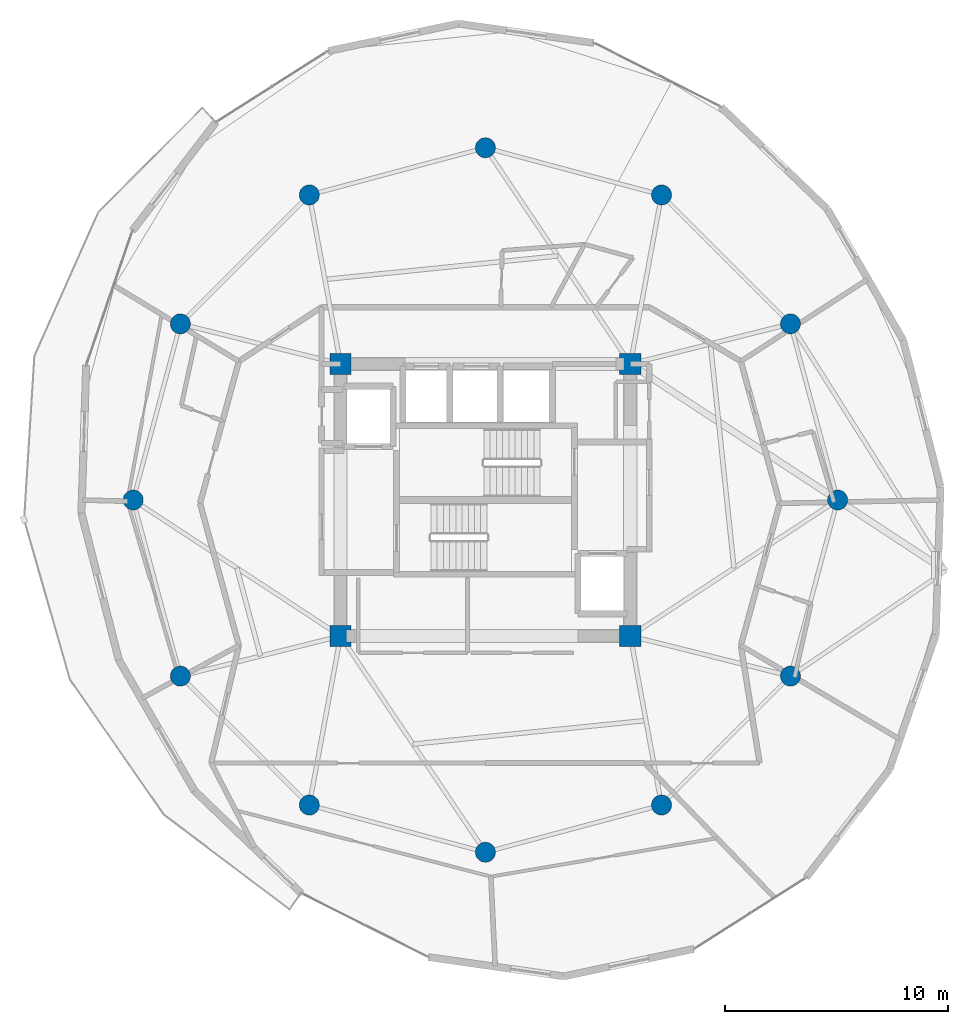
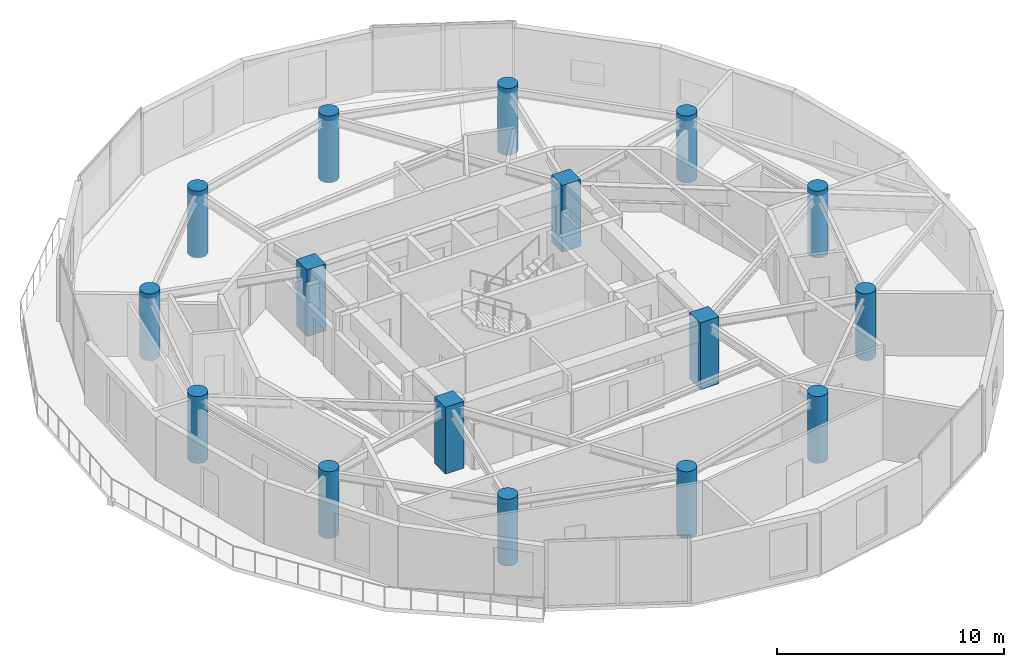
# One storey, part 1 of 19: 16 columns.
"""IFC4 building model written with IfcOpenShell, lengths in metres."""

from ifc_helpers import new_model, si_unit, direction, frame, origin, origin_2d, place, context, subcontext, project, spatial, rectangle, circle, extrude, material, material_profile, profile_set, type_object, element, save


model = new_model("IFC4")

# Units and contexts
model_context = context("Model", 3, precision=1e-05, world=origin(), true_north=direction((0.0, 1.0)))
body_context = subcontext(model_context, "Body", "Model", "MODEL_VIEW")
ifc_project = project(units=[si_unit("LENGTHUNIT", "METRE"), si_unit("AREAUNIT", "SQUARE_METRE"), si_unit("VOLUMEUNIT", "CUBIC_METRE"), si_unit("PLANEANGLEUNIT", "RADIAN"), si_unit("MASSUNIT", "GRAM", prefix="KILO")], contexts=[model_context])

# Site, building, storey
site_placement = place(None, origin())
site = spatial("IfcSite", under=ifc_project, at=site_placement, CompositionType="ELEMENT")
building_placement = place(site_placement, origin())
building = spatial("IfcBuilding", under=site, at=building_placement, Name="Solvirekh Grand Hotel", CompositionType="ELEMENT")
storey_placement = place(building_placement, frame((0.0, 0.0, 212.800048828125)))
storey = spatial("IfcBuildingStorey", under=building, at=storey_placement, Name="L55", CompositionType="ELEMENT", Elevation=212.800048828125)

# Columns
ifc_material = material(Name="Concrete C50/60", Category="concrete")
ifc_material_profile_1 = material_profile(ifc_material, rectangle(XDim=0.949951171875, YDim=0.949951171875, at=origin_2d()), Name="RC 950X950")
ifc_profile_set_1 = profile_set([ifc_material_profile_1], Name="Concrete C50/60")
column_type_1 = type_object("IfcColumnType", Name="Col_Core_950", PredefinedType="COLUMN", material=ifc_profile_set_1)
for number, where, z_axis, x_axis, name in (
    (1, (-6.5, -6.10009765625, 0.0), (0.0, 0.0, 1.0), (1.0, 0.0, 0.0), "L55 core corner column CC1"),
    (2, (6.5, -6.10009765625, 0.0), (0.0, 0.0, 1.0), (1.0, 0.0, 0.0), "L55 core corner column CC2"),
    (3, (6.5, 6.10009765625, 0.0), (0.0, 0.0, 1.0), (1.0, 0.0, 0.0), "L55 core corner column CC3"),
    (4, (-6.5, 6.10009765625, 0.0), (0.0, 0.0, 1.0), (1.0, 0.0, 0.0), "L55 core corner column CC4"),
):
    element("IfcColumn", number, at=place(storey_placement, frame(where, z_axis=z_axis, x_axis=x_axis)), inside=storey, type_object=column_type_1, Name=name, PredefinedType="COLUMN", context=body_context, shape_type="SweptSolid", body=[
        extrude(rectangle(XDim=0.949951171875, YDim=0.949951171875, at=origin_2d()), origin(), (0.0, 0.0, 1.0), 3.599853515625),
    ])
ifc_material_profile_2 = material_profile(ifc_material, circle(Radius=0.449951171875, at=origin_2d()), Name="RC CIRC D900")
ifc_profile_set_2 = profile_set([ifc_material_profile_2], Name="Concrete C50/60")
column_type_2 = type_object("IfcColumnType", Name="Col_Z3_D900", PredefinedType="COLUMN", material=ifc_profile_set_2)
for number, where, z_axis, x_axis, name in (
    (5, (15.800048828125, 0.0, 0.0), (0.0, 0.0, 1.0), (1.0, 0.0, 0.0), "L55 perimeter column P01"),
    (6, (13.68310546875, 7.89990234375, 0.0), (0.0, 0.0, 1.0), (1.0, 0.0, 0.0), "L55 perimeter column P02"),
    (7, (7.89990234375, 13.68310546875, 0.0), (0.0, 0.0, 1.0), (1.0, 0.0, 0.0), "L55 perimeter column P03"),
    (8, (0.0, 15.800048828125, 0.0), (0.0, 0.0, 1.0), (1.0, 0.0, 0.0), "L55 perimeter column P04"),
    (9, (-7.89990234375, 13.68310546875, 0.0), (0.0, 0.0, 1.0), (1.0, 0.0, 0.0), "L55 perimeter column P05"),
    (10, (-13.68310546875, 7.89990234375, 0.0), (0.0, 0.0, 1.0), (1.0, 0.0, 0.0), "L55 perimeter column P06"),
    (11, (-15.800048828125, 0.0, 0.0), (0.0, 0.0, 1.0), (1.0, 0.0, 0.0), "L55 perimeter column P07"),
    (12, (-13.68310546875, -7.89990234375, 0.0), (0.0, 0.0, 1.0), (1.0, 0.0, 0.0), "L55 perimeter column P08"),
    (13, (-7.89990234375, -13.68310546875, 0.0), (0.0, 0.0, 1.0), (1.0, 0.0, 0.0), "L55 perimeter column P09"),
    (14, (0.0, -15.800048828125, 0.0), (0.0, 0.0, 1.0), (1.0, 0.0, 0.0), "L55 perimeter column P10"),
    (15, (7.89990234375, -13.68310546875, 0.0), (0.0, 0.0, 1.0), (1.0, 0.0, 0.0), "L55 perimeter column P11"),
    (16, (13.68310546875, -7.89990234375, 0.0), (0.0, 0.0, 1.0), (1.0, 0.0, 0.0), "L55 perimeter column P12"),
):
    element("IfcColumn", number, at=place(storey_placement, frame(where, z_axis=z_axis, x_axis=x_axis)), inside=storey, type_object=column_type_2, Name=name, PredefinedType="COLUMN", context=body_context, shape_type="SweptSolid", body=[
        extrude(circle(Radius=0.449951171875, at=origin_2d()), origin(), (0.0, 0.0, 1.0), 3.599853515625),
    ])

save(model, "model.ifc")
